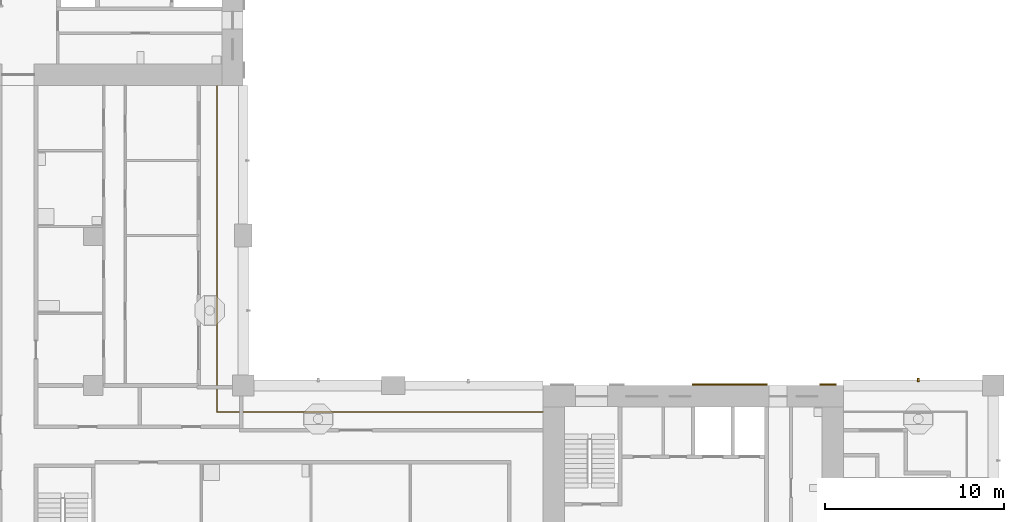
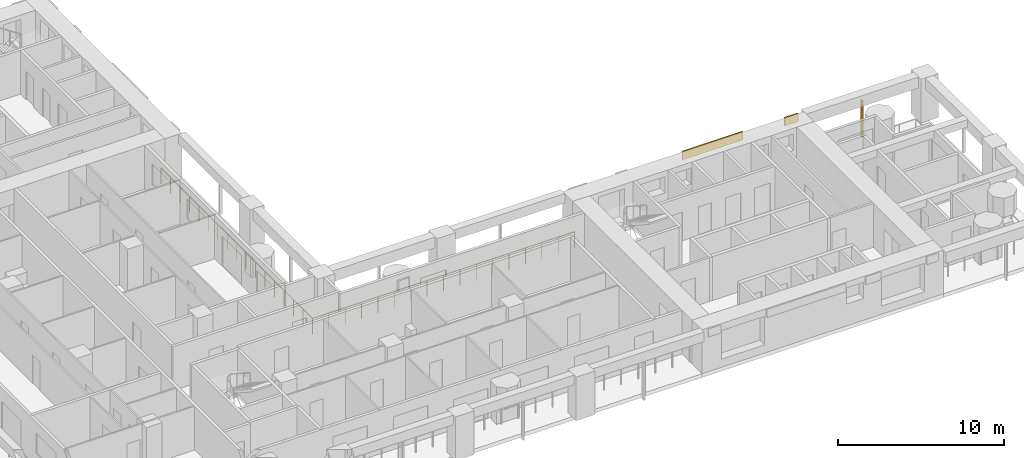
# One storey, part 13 of 18: 3 shading devices, 1 railing.
"""IFC4 building model written with IfcOpenShell, lengths in metres."""

from ifc_helpers import new_model, si_unit, direction, frame, origin, origin_2d, place, context, subcontext, project, spatial, rectangle, circle, extrude, material, layer, layer_set, material_profile, profile_set, type_object, element, save


model = new_model("IFC4")

# Units and contexts
model_context = context("Model", 3, precision=1e-05, world=origin(), true_north=direction((0.0, 1.0)))
body_context = subcontext(model_context, "Body", "Model", "MODEL_VIEW")
ifc_project = project(units=[si_unit("LENGTHUNIT", "METRE"), si_unit("AREAUNIT", "SQUARE_METRE"), si_unit("VOLUMEUNIT", "CUBIC_METRE"), si_unit("PLANEANGLEUNIT", "RADIAN"), si_unit("MASSUNIT", "GRAM", prefix="KILO")], contexts=[model_context])

# Site, building, storey
site_placement = place(None, origin())
site = spatial("IfcSite", under=ifc_project, at=site_placement, CompositionType="ELEMENT")
building_placement = place(site_placement, origin())
building = spatial("IfcBuilding", under=site, at=building_placement, Name="Vermilion Gate Residences", CompositionType="ELEMENT")
storey_placement = place(building_placement, frame((0.0, 0.0, 102.199951171875)))
storey = spatial("IfcBuildingStorey", under=building, at=storey_placement, Name="L25", CompositionType="ELEMENT", Elevation=102.199951171875)

# Railing
ifc_material_1 = material(Name="Stainless steel and toughened glass", Category="steel")
railing_type = type_object("IfcRailingType", Name="LOGGIA GUARD STEEL AND GLASS 1200", PredefinedType="GUARDRAIL", material=ifc_material_1)
railing_placement = place(storey_placement, frame((41.97802734375, 23.72509765625, 0.0)))
element("IfcRailing", 1, at=railing_placement, inside=storey, type_object=railing_type, Name="Loggia guard", PredefinedType="GUARDRAIL", context=body_context, shape_type="SweptSolid", body=[
    extrude(circle(Radius=0.030029296875, at=origin_2d()), frame((0.0, 0.0, 1.169921875), z_axis=(-1.0, 0.0, 0.0), x_axis=(0.0, -1.0, 0.0)), (0.0, 0.0, 1.0), 18.2529296875),
    extrude(circle(Radius=0.030029296875, at=origin_2d()), frame((-18.2529296875, 0.0, 1.169921875), z_axis=(0.0, 1.0, 0.0), x_axis=(-1.0, 0.0, 0.0)), (0.0, 0.0, 1.0), 18.2529296875),
    extrude(circle(Radius=0.02490234375, at=origin_2d()), origin(), (0.0, 0.0, 1.0), 1.139892578125),
    extrude(circle(Radius=0.02490234375, at=origin_2d()), frame((-1.140869140625, 0.0, 0.0)), (0.0, 0.0, 1.0), 1.139892578125),
    extrude(circle(Radius=0.02490234375, at=origin_2d()), frame((-2.28173828125, 0.0, 0.0)), (0.0, 0.0, 1.0), 1.139892578125),
    extrude(circle(Radius=0.02490234375, at=origin_2d()), frame((-3.42236328125, 0.0, 0.0)), (0.0, 0.0, 1.0), 1.139892578125),
    extrude(circle(Radius=0.02490234375, at=origin_2d()), frame((-4.563232421875, 0.0, 0.0)), (0.0, 0.0, 1.0), 1.139892578125),
    extrude(circle(Radius=0.02490234375, at=origin_2d()), frame((-5.7041015625, 0.0, 0.0)), (0.0, 0.0, 1.0), 1.139892578125),
    extrude(circle(Radius=0.02490234375, at=origin_2d()), frame((-6.8447265625, 0.0, 0.0)), (0.0, 0.0, 1.0), 1.139892578125),
    extrude(circle(Radius=0.02490234375, at=origin_2d()), frame((-7.985595703125, 0.0, 0.0)), (0.0, 0.0, 1.0), 1.139892578125),
    extrude(circle(Radius=0.02490234375, at=origin_2d()), frame((-9.12646484375, 0.0, 0.0)), (0.0, 0.0, 1.0), 1.139892578125),
    extrude(circle(Radius=0.02490234375, at=origin_2d()), frame((-10.267333984375, 0.0, 0.0)), (0.0, 0.0, 1.0), 1.139892578125),
    extrude(circle(Radius=0.02490234375, at=origin_2d()), frame((-11.408203125, 0.0, 0.0)), (0.0, 0.0, 1.0), 1.139892578125),
    extrude(circle(Radius=0.02490234375, at=origin_2d()), frame((-12.548828125, 0.0, 0.0)), (0.0, 0.0, 1.0), 1.139892578125),
    extrude(circle(Radius=0.02490234375, at=origin_2d()), frame((-13.689697265625, 0.0, 0.0)), (0.0, 0.0, 1.0), 1.139892578125),
    extrude(circle(Radius=0.02490234375, at=origin_2d()), frame((-14.83056640625, 0.0, 0.0)), (0.0, 0.0, 1.0), 1.139892578125),
    extrude(circle(Radius=0.02490234375, at=origin_2d()), frame((-15.97119140625, 0.0, 0.0)), (0.0, 0.0, 1.0), 1.139892578125),
    extrude(circle(Radius=0.02490234375, at=origin_2d()), frame((-17.112060546875, 0.0, 0.0)), (0.0, 0.0, 1.0), 1.139892578125),
    extrude(circle(Radius=0.02490234375, at=origin_2d()), frame((-18.2529296875, 0.0, 0.0)), (0.0, 0.0, 1.0), 1.139892578125),
    extrude(circle(Radius=0.02490234375, at=origin_2d()), frame((-18.2529296875, 1.140869140625, 0.0)), (0.0, 0.0, 1.0), 1.139892578125),
    extrude(circle(Radius=0.02490234375, at=origin_2d()), frame((-18.2529296875, 2.28173828125, 0.0)), (0.0, 0.0, 1.0), 1.139892578125),
    extrude(circle(Radius=0.02490234375, at=origin_2d()), frame((-18.2529296875, 3.42236328125, 0.0)), (0.0, 0.0, 1.0), 1.139892578125),
    extrude(circle(Radius=0.02490234375, at=origin_2d()), frame((-18.2529296875, 4.563232421875, 0.0)), (0.0, 0.0, 1.0), 1.139892578125),
    extrude(circle(Radius=0.02490234375, at=origin_2d()), frame((-18.2529296875, 5.7041015625, 0.0)), (0.0, 0.0, 1.0), 1.139892578125),
    extrude(circle(Radius=0.02490234375, at=origin_2d()), frame((-18.2529296875, 6.8447265625, 0.0)), (0.0, 0.0, 1.0), 1.139892578125),
    extrude(circle(Radius=0.02490234375, at=origin_2d()), frame((-18.2529296875, 7.985595703125, 0.0)), (0.0, 0.0, 1.0), 1.139892578125),
    extrude(circle(Radius=0.02490234375, at=origin_2d()), frame((-18.2529296875, 9.12646484375, 0.0)), (0.0, 0.0, 1.0), 1.139892578125),
    extrude(circle(Radius=0.02490234375, at=origin_2d()), frame((-18.2529296875, 10.267333984375, 0.0)), (0.0, 0.0, 1.0), 1.139892578125),
    extrude(circle(Radius=0.02490234375, at=origin_2d()), frame((-18.2529296875, 11.408203125, 0.0)), (0.0, 0.0, 1.0), 1.139892578125),
    extrude(circle(Radius=0.02490234375, at=origin_2d()), frame((-18.2529296875, 12.548828125, 0.0)), (0.0, 0.0, 1.0), 1.139892578125),
    extrude(circle(Radius=0.02490234375, at=origin_2d()), frame((-18.2529296875, 13.689697265625, 0.0)), (0.0, 0.0, 1.0), 1.139892578125),
    extrude(circle(Radius=0.02490234375, at=origin_2d()), frame((-18.2529296875, 14.83056640625, 0.0)), (0.0, 0.0, 1.0), 1.139892578125),
    extrude(circle(Radius=0.02490234375, at=origin_2d()), frame((-18.2529296875, 15.97119140625, 0.0)), (0.0, 0.0, 1.0), 1.139892578125),
    extrude(circle(Radius=0.02490234375, at=origin_2d()), frame((-18.2529296875, 17.112060546875, 0.0)), (0.0, 0.0, 1.0), 1.139892578125),
    extrude(circle(Radius=0.02490234375, at=origin_2d()), frame((-18.2529296875, 18.2529296875, 0.0)), (0.0, 0.0, 1.0), 1.139892578125),
])

# Shading devices
ifc_material_2 = material(Name="Extruded terracotta", Category="masonry")
ifc_material_profile = material_profile(ifc_material_2, rectangle(XDim=0.199951171875, YDim=0.10009765625, at=origin_2d()), Name="BAGUETTE 100 X 200")
ifc_profile_set = profile_set([ifc_material_profile], Name="Extruded terracotta")
shading_device_type_1 = type_object("IfcShadingDeviceType", Name="TERRACOTTA BAGUETTE 100 X 200", PredefinedType="JALOUSIE", material=ifc_profile_set)
shading_device_1_placement = place(storey_placement, frame((63.0, 25.5, -0.280029296875), z_axis=(0.0, 0.0, 1.0), x_axis=(0.0, -1.0, 0.0)))
element("IfcShadingDevice", 2, at=shading_device_1_placement, inside=storey, type_object=shading_device_type_1, Name="BAGUETTE", PredefinedType="JALOUSIE", context=body_context, shape_type="SweptSolid", body=[
    extrude(rectangle(XDim=0.199951171875, YDim=0.10009765625, at=origin_2d()), origin(), (0.0, 0.0, 1.0), 2.7001953125),
])
ifc_material_3 = material(Name="Extruded terracotta", Category="masonry")
ifc_layer = layer(ifc_material_3, 0.10009765625)
ifc_layer_set = layer_set([ifc_layer], Name="TERRACOTTA SPANDREL BAND 600 X 100")
shading_device_type_2 = type_object("IfcShadingDeviceType", Name="TERRACOTTA SPANDREL BAND 600 X 100", PredefinedType="USERDEFINED", material=ifc_layer_set)
shading_device_2_placement = place(storey_placement, frame((52.449951171875, 25.25, 2.6201171875), z_axis=(0.0, 0.0, 1.0), x_axis=(1.0, 0.0, 0.0)))
element("IfcShadingDevice", 3, at=shading_device_2_placement, inside=storey, type_object=shading_device_type_2, Name="SPANDREL BAND", ObjectType="BAND", PredefinedType="USERDEFINED", context=body_context, shape_type="SweptSolid", body=[
    extrude(rectangle(XDim=4.199951171875, YDim=0.10009765625, at=origin_2d()), origin(), (0.0, 0.0, 1.0), 0.60009765625),
])
shading_device_3_placement = place(storey_placement, frame((57.9375, 25.25, 2.6201171875), z_axis=(0.0, 0.0, 1.0), x_axis=(1.0, 0.0, 0.0)))
element("IfcShadingDevice", 4, at=shading_device_3_placement, inside=storey, type_object=shading_device_type_2, Name="SPANDREL BAND", ObjectType="BAND", PredefinedType="USERDEFINED", context=body_context, shape_type="SweptSolid", body=[
    extrude(rectangle(XDim=0.925048828125, YDim=0.10009765625, at=origin_2d()), origin(), (0.0, 0.0, 1.0), 0.60009765625),
])

save(model, "model.ifc")
